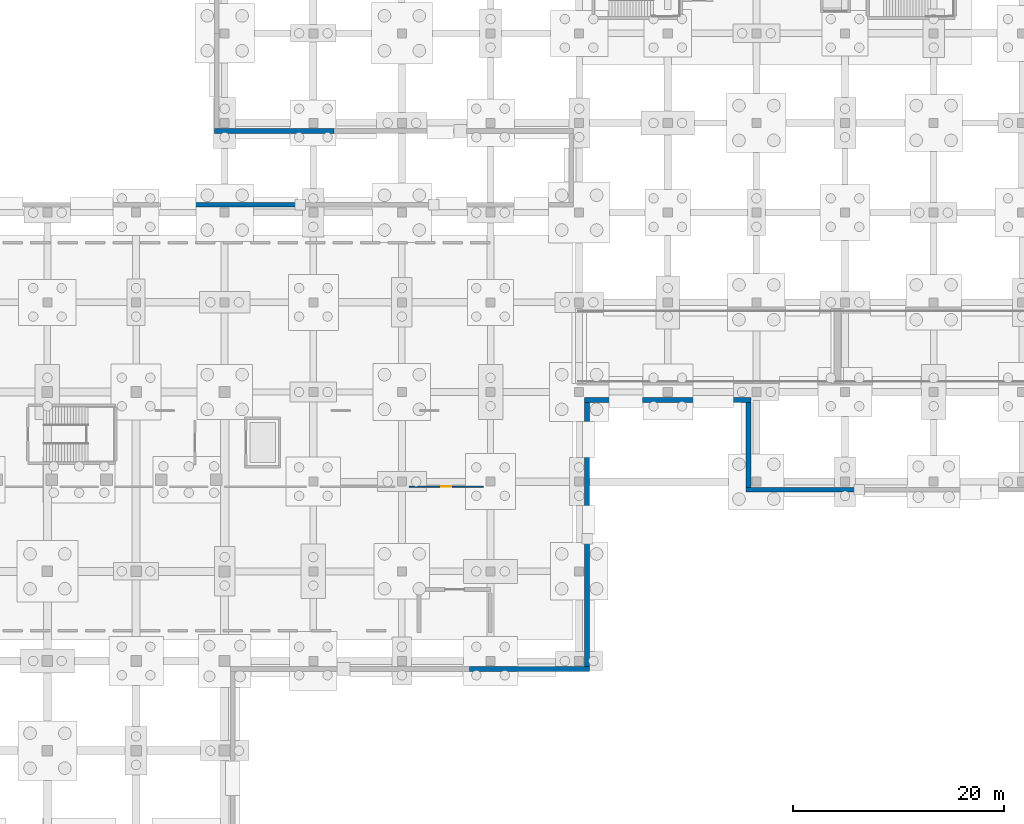
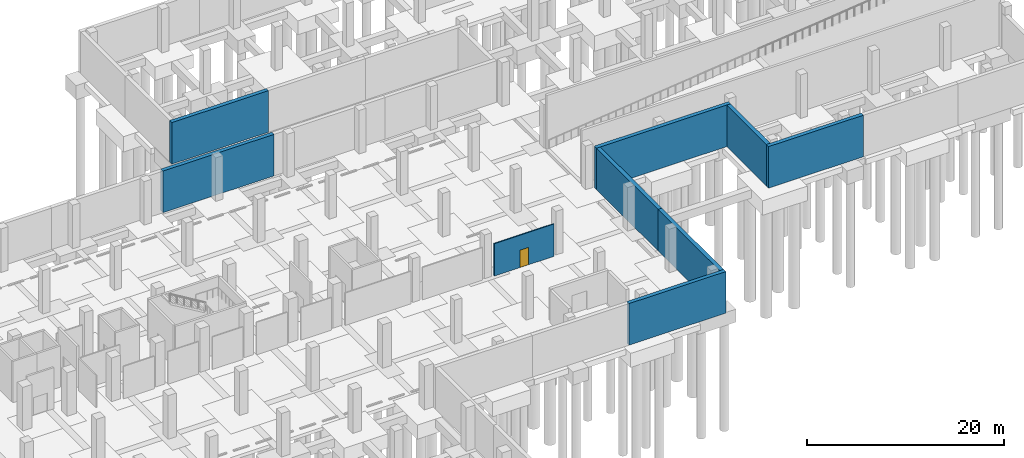
# One storey, part 27 of 34: 9 walls, 1 door, 1 opening.
"""IFC4 building model written with IfcOpenShell, lengths in metres."""

from ifc_helpers import new_model, si_unit, direction, frame, frame_2d, origin, place, context, subcontext, project, spatial, rectangle, extrude, material, layer, layer_set, type_object, element, fill, save


model = new_model("IFC4")

# Units and contexts
model_context = context("Model", 3, precision=1e-05, world=origin(), true_north=direction((0.0, 1.0)))
body_context = subcontext(model_context, "Body", "Model", "MODEL_VIEW")
ifc_project = project(units=[si_unit("LENGTHUNIT", "METRE"), si_unit("AREAUNIT", "SQUARE_METRE"), si_unit("VOLUMEUNIT", "CUBIC_METRE"), si_unit("PLANEANGLEUNIT", "RADIAN"), si_unit("MASSUNIT", "GRAM", prefix="KILO")], contexts=[model_context])

# Site, building, storey
site_placement = place(None, origin())
site = spatial("IfcSite", under=ifc_project, at=site_placement, CompositionType="ELEMENT")
building_placement = place(site_placement, origin())
building = spatial("IfcBuilding", under=site, at=building_placement, Name="Solvento Point Concert Hall", CompositionType="ELEMENT")
storey_placement = place(building_placement, frame((0.0, 0.0, -5.39990234375)))
storey = spatial("IfcBuildingStorey", under=building, at=storey_placement, Name="B01", CompositionType="ELEMENT", Elevation=-5.39990234375)

# Wall, opening, door
ifc_material_1 = material(Name="Acoustic Double-Stud Gypsum Partition")
ifc_layer_1 = layer(ifc_material_1, 0.1201171875)
ifc_layer_set_1 = layer_set([ifc_layer_1], Name="Acoustic Double-Stud Gypsum Partition")
wall_type_1 = type_object("IfcWallType", Name="AcousticPartition_120", PredefinedType="PARTITIONING", material=ifc_layer_set_1)
wall_1_placement = place(storey_placement, frame((157.719970703125, 84.52001953125, 0.0), z_axis=(0.0, 0.0, 1.0), x_axis=(-1.0, 0.0, 0.0)))
wall_1 = element("IfcWall", 1, at=wall_1_placement, inside=storey, type_object=wall_type_1, Name="Interior acoustic partition PW-52 B01", PredefinedType="PARTITIONING", context=body_context, shape_type="SweptSolid", body=[
    extrude(rectangle(XDim=7.0400390625, YDim=0.1201171875, at=frame_2d((3.52001953125, 0.0))), origin(), (0.0, 0.0, 1.0), 4.02001953125),
])
opening_placement = place(wall_1_placement, frame((3.030029296875, 0.0, 0.0)))
opening = element("IfcOpeningElement", 2, at=opening_placement, cuts=wall_1, Name="Opening DR-89", PredefinedType="OPENING", context=body_context, shape_type="SweptSolid", body=[
    extrude(rectangle(XDim=0.97998046875, YDim=2.159912109375, at=frame_2d((0.489990234375, 1.080078125))), frame((0.0, 0.070068359375, 0.0), z_axis=(0.0, -1.0, 0.0), x_axis=(1.0, 0.0, 0.0)), (0.0, 0.0, 1.0), 0.14013671875),
])
ifc_material_2 = material(Name="Brazilian Hardwood Acoustic Door", Category="wood")
door_type = type_object("IfcDoorType", Name="IntDoor_AdminOffice", OperationType="NOTDEFINED", PredefinedType="DOOR", material=ifc_material_2)
door_placement = place(opening_placement, origin())
door = element("IfcDoor", 3, at=door_placement, inside=storey, type_object=door_type, Name="Interior door DR-89 B01", OperationType="SINGLE_SWING_RIGHT", OverallHeight=2.159912109375, OverallWidth=0.97998046875, PredefinedType="DOOR", context=body_context, shape_type="SweptSolid", body=[
    extrude(rectangle(XDim=0.97998046875, YDim=2.159912109375, at=frame_2d((0.489990234375, 1.080078125))), frame((0.0, 0.02490234375, 0.0), z_axis=(0.0, -1.0, 0.0), x_axis=(1.0, 0.0, 0.0)), (0.0, 0.0, 1.0), 0.050048828125),
])
fill(opening, door)

# Walls
ifc_material_3 = material(Name="Concrete C35/45", Category="concrete")
ifc_layer_2 = layer(ifc_material_3, 0.449951171875)
ifc_layer_set_2 = layer_set([ifc_layer_2], Name="Concrete C35/45")
wall_type_2 = type_object("IfcWallType", Name="RetainingWall_450", PredefinedType="USERDEFINED", material=ifc_layer_set_2)
wall_2_placement = place(storey_placement, frame((127.124267578125, 111.2548828125, 0.0), z_axis=(0.0, 0.0, 1.0), x_axis=(1.0, 0.0, 0.0)))
element("IfcWall", 4, at=wall_2_placement, inside=storey, type_object=wall_type_2, Name="Headland plinth retaining wall RW-01", ObjectType="RETAINING WALL", PredefinedType="USERDEFINED", context=body_context, shape_type="SweptSolid", body=[
    extrude(rectangle(XDim=13.048583984375, YDim=0.449951171875, at=frame_2d((6.5244140625, 0.0))), origin(), (0.0, 0.0, 1.0), 5.15478515625),
])
wall_3_placement = place(storey_placement, frame((143.570068359375, 118.2451171875, 0.0), z_axis=(0.0, 0.0, 1.0), x_axis=(-1.0, 0.0, 0.0)))
element("IfcWall", 5, at=wall_3_placement, inside=storey, type_object=wall_type_2, Name="Headland plinth retaining wall RW-01", ObjectType="RETAINING WALL", PredefinedType="USERDEFINED", context=body_context, shape_type="SweptSolid", body=[
    extrude(rectangle(XDim=11.35009765625, YDim=0.449951171875, at=frame_2d((5.675048828125, 0.0))), origin(), (0.0, 0.0, 1.0), 5.15478515625),
])
wall_4_placement = place(storey_placement, frame((193.74658203125, 84.2451171875, 0.0), z_axis=(0.0, 0.0, 1.0), x_axis=(-1.0, 0.0, 0.0)))
element("IfcWall", 6, at=wall_4_placement, inside=storey, type_object=wall_type_2, Name="Headland plinth retaining wall RW-01", ObjectType="RETAINING WALL", PredefinedType="USERDEFINED", context=body_context, shape_type="SweptSolid", body=[
    extrude(rectangle(XDim=11.12646484375, YDim=0.449951171875, at=frame_2d((5.563232421875, 0.0))), origin(), (0.0, 0.0, 1.0), 5.15478515625),
])
wall_5_placement = place(storey_placement, frame((182.844970703125, 84.469970703125, 0.0), z_axis=(0.0, 0.0, 1.0), x_axis=(0.0, 1.0, 0.0)))
element("IfcWall", 7, at=wall_5_placement, inside=storey, type_object=wall_type_2, Name="Headland plinth retaining wall RW-01", ObjectType="RETAINING WALL", PredefinedType="USERDEFINED", context=body_context, shape_type="SweptSolid", body=[
    extrude(rectangle(XDim=8.050048828125, YDim=0.449951171875, at=frame_2d((4.02490234375, 0.0))), origin(), (0.0, 0.0, 1.0), 5.15478515625),
])
wall_6_placement = place(storey_placement, frame((183.070068359375, 92.7451171875, 0.0), z_axis=(0.0, 0.0, 1.0), x_axis=(-1.0, 0.0, 0.0)))
element("IfcWall", 8, at=wall_6_placement, inside=storey, type_object=wall_type_2, Name="Headland plinth retaining wall RW-01", ObjectType="RETAINING WALL", PredefinedType="USERDEFINED", context=body_context, shape_type="SweptSolid", body=[
    extrude(rectangle(XDim=15.739990234375, YDim=0.449951171875, at=frame_2d((7.8701171875, 0.0))), origin(), (0.0, 0.0, 1.0), 5.15478515625),
])
wall_7_placement = place(storey_placement, frame((167.554931640625, 92.52001953125, 0.0), z_axis=(0.0, 0.0, 1.0), x_axis=(0.0, -1.0, 0.0)))
element("IfcWall", 9, at=wall_7_placement, inside=storey, type_object=wall_type_2, Name="Headland plinth retaining wall RW-01", ObjectType="RETAINING WALL", PredefinedType="USERDEFINED", context=body_context, shape_type="SweptSolid", body=[
    extrude(rectangle(XDim=12.52490234375, YDim=0.449951171875, at=frame_2d((6.262451171875, 0.0))), origin(), (0.0, 0.0, 1.0), 5.15478515625),
])
wall_8_placement = place(storey_placement, frame((167.554931640625, 79.9951171875, 0.0), z_axis=(0.0, 0.0, 1.0), x_axis=(0.0, -1.0, 0.0)))
element("IfcWall", 10, at=wall_8_placement, inside=storey, type_object=wall_type_2, Name="Headland plinth retaining wall RW-01", ObjectType="RETAINING WALL", PredefinedType="USERDEFINED", context=body_context, shape_type="SweptSolid", body=[
    extrude(rectangle(XDim=12.525146484375, YDim=0.449951171875, at=frame_2d((6.2626953125, 0.0))), origin(), (0.0, 0.0, 1.0), 5.15478515625),
])
wall_9_placement = place(storey_placement, frame((167.780029296875, 67.2451171875, 0.0), z_axis=(0.0, 0.0, 1.0), x_axis=(-1.0, 0.0, 0.0)))
element("IfcWall", 11, at=wall_9_placement, inside=storey, type_object=wall_type_2, Name="Headland plinth retaining wall RW-01", ObjectType="RETAINING WALL", PredefinedType="USERDEFINED", context=body_context, shape_type="SweptSolid", body=[
    extrude(rectangle(XDim=11.35009765625, YDim=0.449951171875, at=frame_2d((5.675048828125, 0.0))), origin(), (0.0, 0.0, 1.0), 5.15478515625),
])

save(model, "model.ifc")
